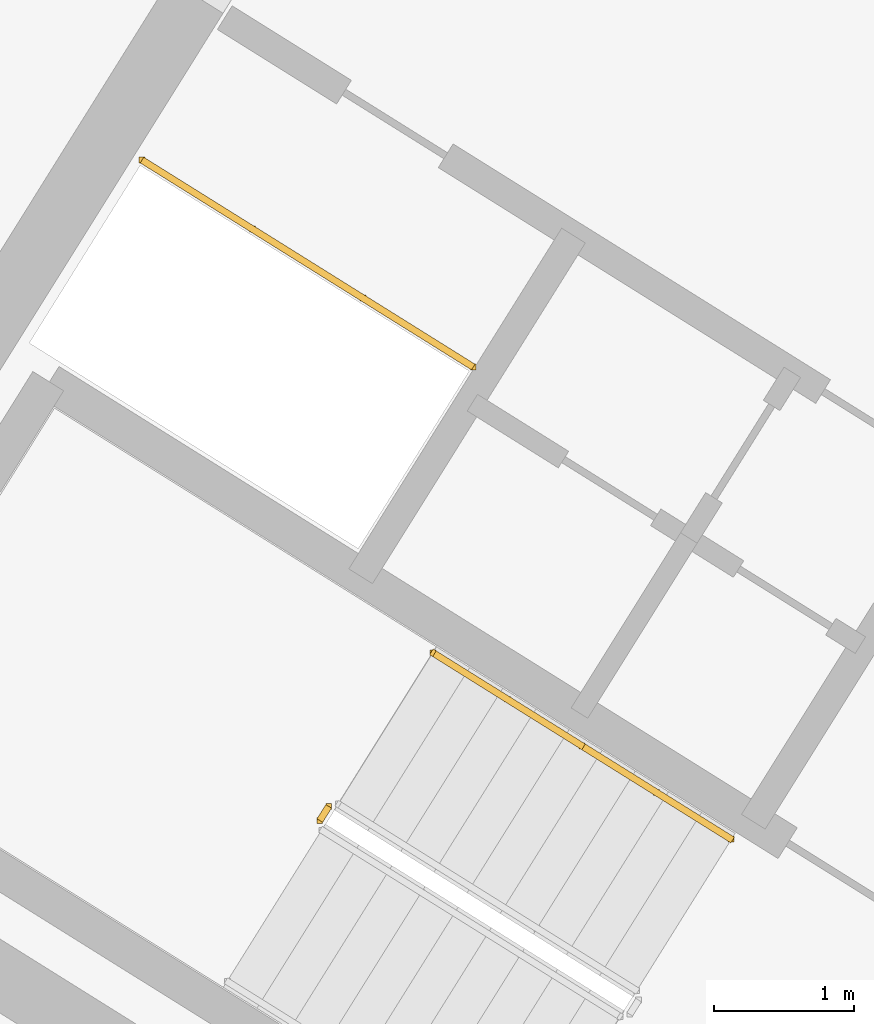
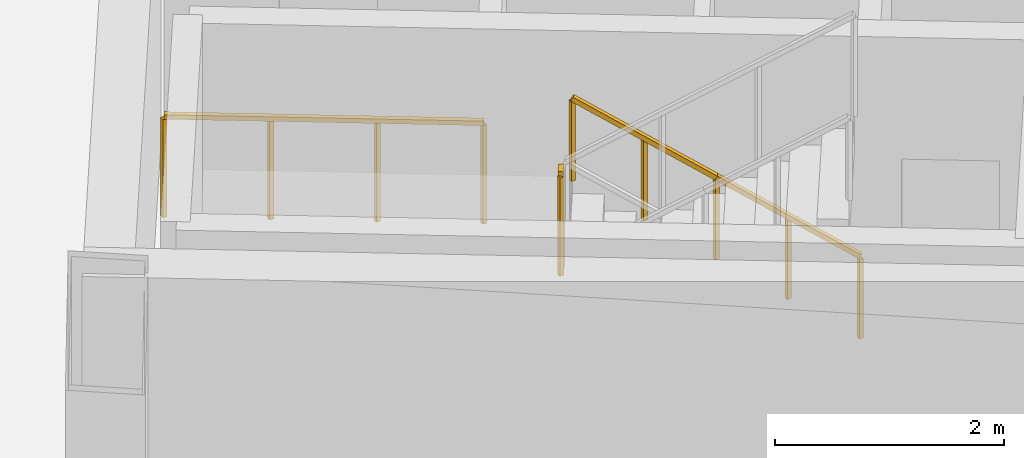
# One storey, part 15 of 17: 4 railings.
"""IFC4 building model written with IfcOpenShell, lengths in metres."""

from ifc_helpers import new_model, si_unit, direction, frame, origin, origin_2d, place, context, subcontext, project, spatial, rectangle, extrude, source, transform, mapped, material, type_object, element, save


model = new_model("IFC4")

# Units and contexts
model_context = context("Model", 3, precision=1e-05, world=origin(), true_north=direction((0.0, 1.0)))
body_context = subcontext(model_context, "Body", "Model", "MODEL_VIEW")
ifc_project = project(units=[si_unit("LENGTHUNIT", "METRE"), si_unit("AREAUNIT", "SQUARE_METRE"), si_unit("VOLUMEUNIT", "CUBIC_METRE"), si_unit("PLANEANGLEUNIT", "RADIAN"), si_unit("MASSUNIT", "GRAM", prefix="KILO")], contexts=[model_context])

# Site, building, storey
site_placement = place(None, origin())
site = spatial("IfcSite", under=ifc_project, at=site_placement, CompositionType="ELEMENT")
building_placement = place(site_placement, origin())
building = spatial("IfcBuilding", under=site, at=building_placement, Name="Tlacorven Tower", CompositionType="ELEMENT")
storey_placement = place(building_placement, frame((0.0, 0.0, 270.0)))
storey = spatial("IfcBuildingStorey", under=building, at=storey_placement, Name="L68", CompositionType="ELEMENT", Elevation=270.0)

# Railings
ifc_material = material(Name="Aluminium and painted steel balustrade", Category="steel")
railing_type_1 = type_object("IfcRailingType", Name="RL-GRD-1100", PredefinedType="GUARDRAIL", material=ifc_material)
shared_shape_1 = source(origin(), body_context, "Body", "SweptSolid", [
    extrude(rectangle(XDim=0.048095703125, YDim=0.048095703125, at=origin_2d()), frame((0.0, 0.0, 1.076171875), z_axis=(-0.848091358275, 0.529850024081, 0.0), x_axis=(-0.529850024081, -0.848091358275, 0.0)), (0.0, 0.0, 1.0), 2.800048828125),
    extrude(rectangle(XDim=0.0419921875, YDim=0.0419921875, at=origin_2d()), origin(), (0.0, 0.0, 1.0), 1.052001953125),
    extrude(rectangle(XDim=0.0419921875, YDim=0.0419921875, at=origin_2d()), frame((-0.79150390625, 0.49462890625, 0.0)), (0.0, 0.0, 1.0), 1.052001953125),
    extrude(rectangle(XDim=0.0419921875, YDim=0.0419921875, at=origin_2d()), frame((-1.583251953125, 0.989013671875, 0.0)), (0.0, 0.0, 1.0), 1.052001953125),
    extrude(rectangle(XDim=0.0419921875, YDim=0.0419921875, at=origin_2d()), frame((-2.374755859375, 1.483642578125, 0.0)), (0.0, 0.0, 1.0), 1.052001953125),
])
railing_1_placement = place(storey_placement, frame((27.9912109375, 22.32080078125, 0.0)))
element("IfcRailing", 1, at=railing_1_placement, inside=storey, type_object=railing_type_1, Name="L68 Electrical Riser W Shaft Guard 1", PredefinedType="GUARDRAIL", context=body_context, shape_type="MappedRepresentation", body=[
    mapped(shared_shape_1, transform((0.0, 0.0, 0.0), scale=1.0)),
])
shared_shape_2 = source(origin(), body_context, "Body", "SweptSolid", [
    extrude(rectangle(XDim=0.048095703125, YDim=0.048095703125, at=origin_2d()), frame((0.0, 0.0, 1.076171875), z_axis=(-0.530546985787, -0.847655529016, 0.0), x_axis=(0.847655529016, -0.530546985787, 0.0)), (0.0, 0.0, 1.0), 0.1201171875),
    extrude(rectangle(XDim=0.0419921875, YDim=0.0419921875, at=origin_2d()), origin(), (0.0, 0.0, 1.0), 1.052001953125),
    extrude(rectangle(XDim=0.0419921875, YDim=0.0419921875, at=origin_2d()), frame((-0.063720703125, -0.101806640625, 0.0)), (0.0, 0.0, 1.0), 1.052001953125),
])
railing_2_placement = place(storey_placement, frame((26.954833984375, 19.17138671875, 1.800048828125)))
element("IfcRailing", 2, at=railing_2_placement, inside=storey, type_object=railing_type_1, Name="L68 ST-W1 stair guard 2", PredefinedType="GUARDRAIL", context=body_context, shape_type="MappedRepresentation", body=[
    mapped(shared_shape_2, transform((0.0, 0.0, 0.0), scale=1.0)),
])
railing_type_2 = type_object("IfcRailingType", Name="RL-HND-0900", PredefinedType="HANDRAIL", material=ifc_material)
shared_shape_3 = source(origin(), body_context, "Body", "SweptSolid", [
    extrude(rectangle(XDim=0.048095703125, YDim=0.048095703125, at=origin_2d()), frame((0.0, 0.0, 0.8759765625), z_axis=(-0.713359751793, 0.4457479829, 0.540764828981), x_axis=(-0.529911857636, -0.848052724267, 0.0)), (0.0, 0.0, 1.0), 1.498046875),
    extrude(rectangle(XDim=0.0419921875, YDim=0.0419921875, at=origin_2d()), origin(), (0.0, 0.0, 1.0), 0.851806640625),
    extrude(rectangle(XDim=0.0419921875, YDim=0.0419921875, at=origin_2d()), frame((-0.5341796875, 0.333984375, 0.405029296875)), (0.0, 0.0, 1.0), 0.851806640625),
    extrude(rectangle(XDim=0.0419921875, YDim=0.0419921875, at=origin_2d()), frame((-1.068603515625, 0.667724609375, 0.81005859375)), (0.0, 0.0, 1.0), 0.851806640625),
])
for number, where, name in (
    (3, (29.839111328125, 18.937255859375, 0.179931640625), "L68 ST-W1 stair handrail 1"),
    (4, (28.7705078125, 19.60498046875, 0.989990234375), "L68 ST-W1 stair handrail 2"),
):
    element("IfcRailing", number, at=place(storey_placement, frame(where)), inside=storey, type_object=railing_type_2, Name=name, PredefinedType="HANDRAIL", context=body_context, shape_type="MappedRepresentation", body=[
        mapped(shared_shape_3, transform((0.0, 0.0, 0.0), scale=1.0)),
    ])

save(model, "model.ifc")
